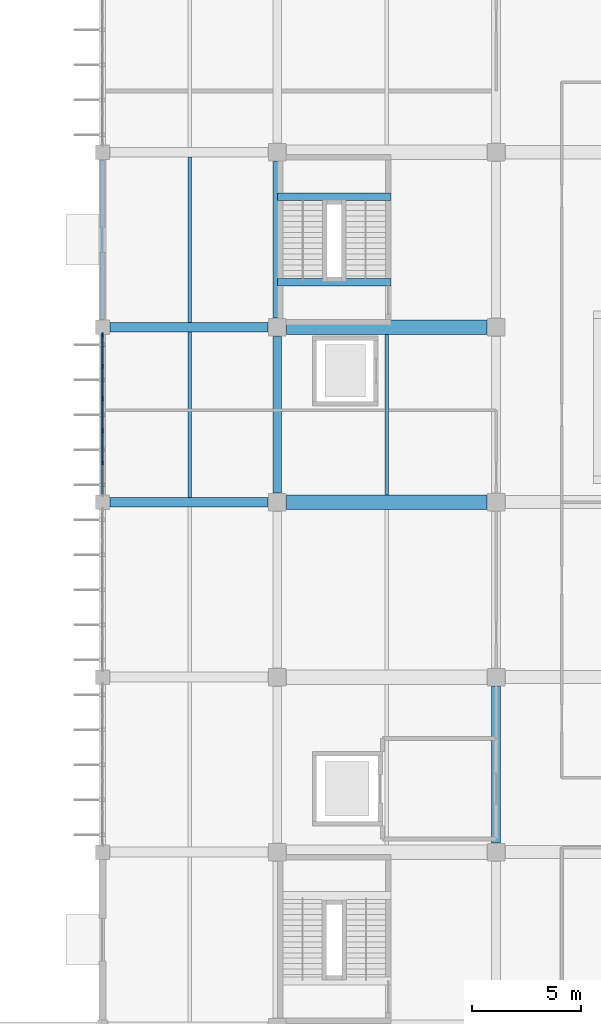
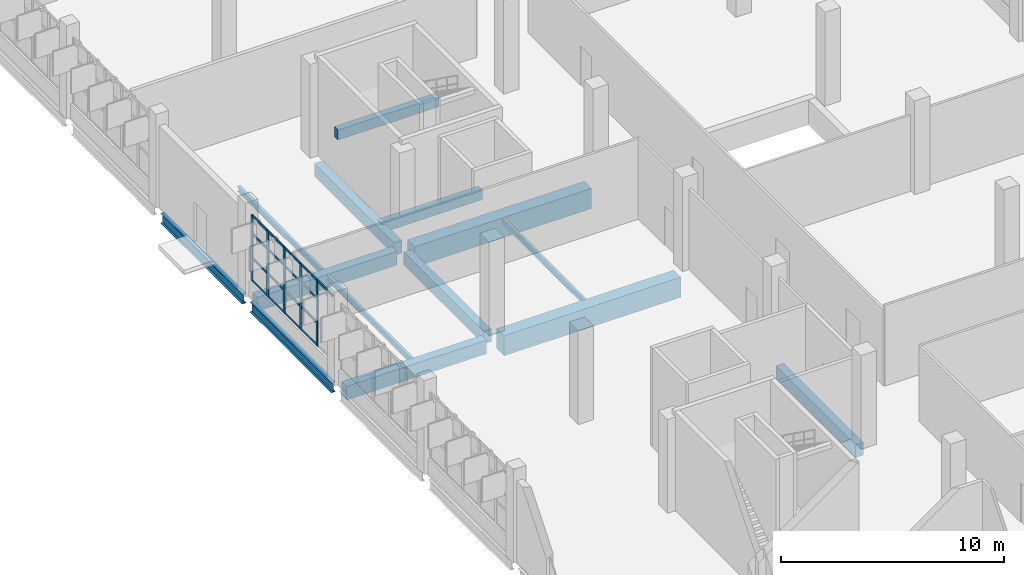
# One storey, part 45 of 103: 22 members, 14 beams, 1 element without a shape of its own.
"""IFC4 building model written with IfcOpenShell, lengths in metres."""

import ifcopenshell
import ifcopenshell.guid

model = None  # the IFC model being written
_history = None  # IfcOwnerHistory: only IFC2X3 demands one
_inside = {}  # id of a spatial element -> (the spatial element, [elements in it])
_under = {}  # id of a project, library or spatial element -> (it, [spatial elements below it])
_declared = {}  # id of a project -> (the project, [libraries it declares])
_typed = {}  # id of a type object -> (the type object, [elements of that type])
_made_of = {}  # id of a material, layer set ... -> (it, [elements and type objects made of it])


def new_model(schema):
    """Start an empty IFC model of exactly this schema.

    Asked for "IFC4X3", IfcOpenShell would pick the latest addendum, in which some entities
    have other attributes; the version numbers below select the first issue.
    IFC2X3 requires an IfcOwnerHistory on every rooted entity: one is made here for all.
    """
    global model, _history
    if schema == "IFC4X3":
        model = ifcopenshell.file(schema_version=(4, 3, 0, 0))
    else:
        model = ifcopenshell.file(schema=schema)
    _inside.clear()
    _under.clear()
    _declared.clear()
    _typed.clear()
    _made_of.clear()
    _history = None
    if model.schema == "IFC2X3":
        org = make("IfcOrganization", Name="unknown")
        user = make(
            "IfcPersonAndOrganization",
            ThePerson=make("IfcPerson", FamilyName="unknown"),
            TheOrganization=org,
        )
        app = make(
            "IfcApplication",
            ApplicationDeveloper=org,
            Version="unknown",
            ApplicationFullName="unknown",
            ApplicationIdentifier="unknown",
        )
        _history = make(
            "IfcOwnerHistory",
            OwningUser=user,
            OwningApplication=app,
            ChangeAction="ADDED",
            CreationDate=0,
        )
    return model


def make(cls, **values):
    """One entity of the class cls with the attributes given. An attribute that is None is left unset."""
    return model.create_entity(
        cls, **{name: value for name, value in values.items() if value is not None}
    )


def rooted(cls, **values):
    """An entity with a GlobalId (a new one), such as an element, a storey or a relation."""
    return make(cls, GlobalId=ifcopenshell.guid.new(), OwnerHistory=_history, **values)


def si_unit(unit_type, name, prefix=None):
    """IfcSIUnit, for example si_unit("LENGTHUNIT", "METRE", prefix="MILLI")."""
    return make("IfcSIUnit", UnitType=unit_type, Prefix=prefix, Name=name)


def assignment(units):
    """IfcUnitAssignment: the units of a project."""
    return None if units is None else make("IfcUnitAssignment", Units=units)


def point(xyz):
    """IfcCartesianPoint."""
    return None if xyz is None else make("IfcCartesianPoint", Coordinates=xyz)


def direction(xyz):
    """IfcDirection."""
    return None if xyz is None else make("IfcDirection", DirectionRatios=xyz)


def frame(location, z_axis=None, x_axis=None):
    """IfcAxis2Placement3D, a coordinate frame: its origin and axes. An axis left out is left unset."""
    return make(
        "IfcAxis2Placement3D",
        Location=point(location),
        Axis=direction(z_axis),
        RefDirection=direction(x_axis),
    )


def frame_2d(location, x_axis=None):
    """IfcAxis2Placement2D, a coordinate frame in the plane: its origin and x axis."""
    return make(
        "IfcAxis2Placement2D", Location=point(location), RefDirection=direction(x_axis)
    )


def origin():
    """The frame at (0, 0, 0) with its axes left unset."""
    return frame((0.0, 0.0, 0.0))


def origin_2d():
    """The frame at (0, 0) in the plane with its x axis left unset."""
    return frame_2d((0.0, 0.0))


def place(relative_to, where):
    """IfcLocalPlacement: puts the frame where relative to a parent placement (None: the world)."""
    return make(
        "IfcLocalPlacement", PlacementRelTo=relative_to, RelativePlacement=where
    )


def context(
    kind, dimensions, precision=None, world=None, true_north=None, identifier=None
):
    """IfcGeometricRepresentationContext, for example the 3D "Model" context."""
    return make(
        "IfcGeometricRepresentationContext",
        ContextIdentifier=identifier,
        ContextType=kind,
        CoordinateSpaceDimension=dimensions,
        Precision=precision,
        WorldCoordinateSystem=world,
        TrueNorth=true_north,
    )


def subcontext(parent, identifier, kind, view, scale=None):
    """IfcGeometricRepresentationSubContext, for example "Body" below "Model"."""
    return make(
        "IfcGeometricRepresentationSubContext",
        ContextIdentifier=identifier,
        ContextType=kind,
        ParentContext=parent,
        TargetScale=scale,
        TargetView=view,
    )


def project(units=None, contexts=None):
    """IfcProject with its units and contexts."""
    return rooted(
        "IfcProject",
        Name="project",
        RepresentationContexts=contexts,
        UnitsInContext=assignment(units),
    )


def spatial(cls, under=None, at=None, **own):
    """A site, building, storey or space (cls), placed at a placement, below another one or the project."""
    s = rooted(cls, ObjectPlacement=at, **own)
    if under is not None:
        _under.setdefault(under.id(), (under, []))[1].append(s)
    return s


def profile(cls, at=None, kind="AREA", **sizes):
    """A parametric profile (cls). Its sizes go by their IFC names, for example OverallWidth=200.0."""
    return make(cls, ProfileType=kind, Position=at, **sizes)


def rectangle(**sizes):
    """IfcRectangleProfileDef."""
    return profile("IfcRectangleProfileDef", **sizes)


def i_section(**sizes):
    """IfcIShapeProfileDef."""
    return profile("IfcIShapeProfileDef", **sizes)


def extrude(swept, where, along, depth):
    """IfcExtrudedAreaSolid: the profile swept, set in the frame where, extruded along a direction by depth."""
    return make(
        "IfcExtrudedAreaSolid",
        SweptArea=swept,
        Position=where,
        ExtrudedDirection=direction(along),
        Depth=depth,
    )


def shape(context_of_items, identifier, shape_type, items):
    """IfcShapeRepresentation: the items that make up one representation, for example the "Body"."""
    return make(
        "IfcShapeRepresentation",
        ContextOfItems=context_of_items,
        RepresentationIdentifier=identifier,
        RepresentationType=shape_type,
        Items=items,
    )


def material(Name=None, Category=None):
    """IfcMaterial."""
    return make("IfcMaterial", Name=Name, Category=Category)


def layer(
    of_material, thickness, ventilated=None, Name=None, Category=None, Priority=None
):
    """IfcMaterialLayer: one layer of a wall or slab, of a material (None: an air gap)."""
    return make(
        "IfcMaterialLayer",
        Material=of_material,
        LayerThickness=thickness,
        IsVentilated=ventilated,
        Name=Name,
        Category=Category,
        Priority=Priority,
    )


def layer_set(layers, Name=None):
    """IfcMaterialLayerSet."""
    return make("IfcMaterialLayerSet", MaterialLayers=layers, LayerSetName=Name)


def material_profile(
    of_material, cross_section, Name=None, Category=None, Priority=None
):
    """IfcMaterialProfile: a cross section and its material."""
    return make(
        "IfcMaterialProfile",
        Name=Name,
        Material=of_material,
        Profile=cross_section,
        Priority=Priority,
        Category=Category,
    )


def profile_set(profiles, Name=None, composite=None):
    """IfcMaterialProfileSet."""
    return make(
        "IfcMaterialProfileSet",
        Name=Name,
        MaterialProfiles=profiles,
        CompositeProfile=composite,
    )


def made_of(thing, what):
    """Note that an element or type object is made of a material, layer set ...; save() writes the relation."""
    if what is not None:
        _made_of.setdefault(what.id(), (what, []))[1].append(thing)
    return thing


def type_object(cls, material=None, **own):
    """A type object (cls), such as IfcWallType, which elements share."""
    return made_of(rooted(cls, **own), material)


def element(
    cls,
    number,
    at=None,
    inside=None,
    cuts=None,
    type_object=None,
    material=None,
    context=None,
    identifier="Body",
    shape_type=None,
    held_by="IfcProductDefinitionShape",
    body=None,
    shapes=None,
    **own,
):
    """One element of the class cls, such as IfcWall. Its Tag is "e" and its number.

    at: its placement. inside: the storey or other place that contains it. cuts: it is an
    opening in that element (IfcRelVoidsElement). A single representation is given by context,
    identifier, shape_type and body (its items); several are given by shapes. held_by: the class
    of the entity that holds the representations. save() writes the other relations.
    """
    e = rooted(cls, Tag="e%d" % number, ObjectPlacement=at, **own)
    if body is not None:
        shapes = [shape(context, identifier, shape_type, body)]
    if shapes is not None:
        e.Representation = make(held_by, Representations=shapes)
    if inside is not None:
        _inside.setdefault(inside.id(), (inside, []))[1].append(e)
    if cuts is not None:
        rooted(
            "IfcRelVoidsElement", RelatingBuildingElement=cuts, RelatedOpeningElement=e
        )
    if type_object is not None:
        _typed.setdefault(type_object.id(), (type_object, []))[1].append(e)
    return made_of(e, material)


def aggregate(whole, parts):
    """IfcRelAggregates: a whole, such as a stair, and the parts it consists of."""
    return rooted("IfcRelAggregates", RelatingObject=whole, RelatedObjects=parts)


def save(model, path):
    """Write the relations noted so far, then the file.

    IfcRelAggregates (storeys below a building ...), IfcRelContainedInSpatialStructure (elements
    in a storey), IfcRelDefinesByType, IfcRelAssociatesMaterial and IfcRelDeclares: one each for
    every whole, place, type object, material and project.
    """
    for whole, parts in _under.values():
        aggregate(whole, parts)
    for where, things in _inside.values():
        rooted(
            "IfcRelContainedInSpatialStructure",
            RelatedElements=things,
            RelatingStructure=where,
        )
    for kind, things in _typed.values():
        rooted("IfcRelDefinesByType", RelatedObjects=things, RelatingType=kind)
    for what, things in _made_of.values():
        rooted("IfcRelAssociatesMaterial", RelatedObjects=things, RelatingMaterial=what)
    for by, libraries in _declared.values():
        rooted("IfcRelDeclares", RelatingContext=by, RelatedDefinitions=libraries)
    model.write(path)


model = new_model("IFC4")

# Units and contexts
model_context = context("Model", 3, precision=1e-05, world=origin(), true_north=direction((0.0, 1.0)))
body_context = subcontext(model_context, "Body", "Model", "MODEL_VIEW")
ifc_project = project(units=[si_unit("LENGTHUNIT", "METRE"), si_unit("AREAUNIT", "SQUARE_METRE"), si_unit("VOLUMEUNIT", "CUBIC_METRE"), si_unit("PLANEANGLEUNIT", "RADIAN"), si_unit("MASSUNIT", "GRAM", prefix="KILO")], contexts=[model_context])

# Site, building, storey
site_placement = place(None, origin())
site = spatial("IfcSite", under=ifc_project, at=site_placement, CompositionType="ELEMENT")
building_placement = place(site_placement, origin())
building = spatial("IfcBuilding", under=site, at=building_placement, Name="Drelvana Railside Aquatics Centre", CompositionType="ELEMENT")
storey_placement = place(building_placement, origin())
storey = spatial("IfcBuildingStorey", under=building, at=storey_placement, Name="L00", CompositionType="ELEMENT", Elevation=0.0)

# Curtain wall, members
ifc_material_1 = material(Name="Bronze-anodised aluminium curtain wall", Category="aluminium")
ifc_layer = layer(ifc_material_1, 0.175048828125, Name="Bronze-anodised aluminium curtain wall")
ifc_layer_set = layer_set([ifc_layer], Name="Bronze-anodised aluminium curtain wall")
curtain_wall_type = type_object("IfcCurtainWallType", Name="CW-Z6-WING", PredefinedType="NOTDEFINED", material=ifc_layer_set)
curtain_wall_placement = place(storey_placement, origin())
curtain_wall = element("IfcCurtainWall", 1, at=curtain_wall_placement, inside=storey, type_object=curtain_wall_type, Name="Curtain wall CW-06-148", PredefinedType="NOTDEFINED")
ifc_material_2 = material(Name="Bronze-anodised aluminium 6063-T6", Category="aluminium")
ifc_material_profile_1 = material_profile(ifc_material_2, rectangle(XDim=0.06494140625, YDim=0.175048828125, at=origin_2d()), Name="ALU-M 65x175")
ifc_profile_set_1 = profile_set([ifc_material_profile_1], Name="Bronze-anodised aluminium 6063-T6")
member_type_1 = type_object("IfcMemberType", Name="CW-Z6-WING-MUL", PredefinedType="MULLION", material=ifc_profile_set_1)
member_1_placement = place(storey_placement, frame((144.0, 49.79150390625, 0.7939453125), z_axis=(0.0, 0.0, 1.0), x_axis=(-1.0, 0.0, 0.0)))
member_1 = element("IfcMember", 2, at=member_1_placement, type_object=member_type_1, Name="CW-06 mullion 2", PredefinedType="MULLION", context=body_context, shape_type="SweptSolid", body=[
    extrude(rectangle(XDim=0.06494140625, YDim=0.175048828125, at=origin_2d()), origin(), (0.0, 0.0, 1.0), 3.60595703125),
])
member_2_placement = place(storey_placement, frame((144.0, 51.263916015625, 0.7939453125), z_axis=(0.0, 0.0, 1.0), x_axis=(-1.0, 0.0, 0.0)))
member_2 = element("IfcMember", 3, at=member_2_placement, type_object=member_type_1, Name="CW-06 mullion 3", PredefinedType="MULLION", context=body_context, shape_type="SweptSolid", body=[
    extrude(rectangle(XDim=0.06494140625, YDim=0.175048828125, at=origin_2d()), origin(), (0.0, 0.0, 1.0), 3.60595703125),
])
member_3_placement = place(storey_placement, frame((144.0, 52.736083984375, 0.7939453125), z_axis=(0.0, 0.0, 1.0), x_axis=(-1.0, 0.0, 0.0)))
member_3 = element("IfcMember", 4, at=member_3_placement, type_object=member_type_1, Name="CW-06 mullion 4", PredefinedType="MULLION", context=body_context, shape_type="SweptSolid", body=[
    extrude(rectangle(XDim=0.06494140625, YDim=0.175048828125, at=origin_2d()), origin(), (0.0, 0.0, 1.0), 3.60595703125),
])
member_4_placement = place(storey_placement, frame((144.0, 54.20849609375, 0.7939453125), z_axis=(0.0, 0.0, 1.0), x_axis=(-1.0, 0.0, 0.0)))
member_4 = element("IfcMember", 5, at=member_4_placement, type_object=member_type_1, Name="CW-06 mullion 5", PredefinedType="MULLION", context=body_context, shape_type="SweptSolid", body=[
    extrude(rectangle(XDim=0.06494140625, YDim=0.175048828125, at=origin_2d()), origin(), (0.0, 0.0, 1.0), 3.60595703125),
])
member_5_placement = place(storey_placement, frame((144.0, 55.6484375, 0.7939453125), z_axis=(0.0, 0.0, 1.0), x_axis=(-1.0, 0.0, 0.0)))
member_5 = element("IfcMember", 6, at=member_5_placement, type_object=member_type_1, Name="CW-06 mullion 6", PredefinedType="MULLION", context=body_context, shape_type="SweptSolid", body=[
    extrude(rectangle(XDim=0.06494140625, YDim=0.175048828125, at=origin_2d()), origin(), (0.0, 0.0, 1.0), 3.60595703125),
])
ifc_material_profile_2 = material_profile(ifc_material_2, rectangle(XDim=0.1201171875, YDim=0.06005859375, at=origin_2d()), Name="ALU-T 60x120")
ifc_profile_set_2 = profile_set([ifc_material_profile_2], Name="Bronze-anodised aluminium 6063-T6")
member_type_2 = type_object("IfcMemberType", Name="CW-Z6-WING-TRN", PredefinedType="USERDEFINED", material=ifc_profile_set_2)
member_6_placement = place(storey_placement, frame((144.0, 48.37890625, 4.3701171875), z_axis=(0.0, 1.0, 0.0), x_axis=(0.0, 0.0, 1.0)))
member_6 = element("IfcMember", 7, at=member_6_placement, type_object=member_type_2, Name="CW-06 transom 1.4", ObjectType="TRANSOM", PredefinedType="USERDEFINED", context=body_context, shape_type="SweptSolid", body=[
    extrude(rectangle(XDim=0.1201171875, YDim=0.06005859375, at=origin_2d()), origin(), (0.0, 0.0, 1.0), 1.385009765625),
])
member_7_placement = place(storey_placement, frame((144.0, 49.81884765625, 0.823974609375), z_axis=(0.0, 1.0, 0.0), x_axis=(0.0, 0.0, 1.0)))
member_7 = element("IfcMember", 8, at=member_7_placement, type_object=member_type_2, Name="CW-06 transom 2.1", ObjectType="TRANSOM", PredefinedType="USERDEFINED", context=body_context, shape_type="SweptSolid", body=[
    extrude(rectangle(XDim=0.1201171875, YDim=0.06005859375, at=origin_2d()), origin(), (0.0, 0.0, 1.0), 1.41748046875),
])
member_8_placement = place(storey_placement, frame((144.0, 49.81884765625, 2.055908203125), z_axis=(0.0, 1.0, 0.0), x_axis=(0.0, 0.0, 1.0)))
member_8 = element("IfcMember", 9, at=member_8_placement, type_object=member_type_2, Name="CW-06 transom 2.2", ObjectType="TRANSOM", PredefinedType="USERDEFINED", context=body_context, shape_type="SweptSolid", body=[
    extrude(rectangle(XDim=0.1201171875, YDim=0.06005859375, at=origin_2d()), origin(), (0.0, 0.0, 1.0), 1.41748046875),
])
member_9_placement = place(storey_placement, frame((144.0, 49.81884765625, 3.389892578125), z_axis=(0.0, 1.0, 0.0), x_axis=(0.0, 0.0, 1.0)))
member_9 = element("IfcMember", 10, at=member_9_placement, type_object=member_type_2, Name="CW-06 transom 2.3", ObjectType="TRANSOM", PredefinedType="USERDEFINED", context=body_context, shape_type="SweptSolid", body=[
    extrude(rectangle(XDim=0.1201171875, YDim=0.06005859375, at=origin_2d()), origin(), (0.0, 0.0, 1.0), 1.41748046875),
])
member_10_placement = place(storey_placement, frame((144.0, 49.81884765625, 4.3701171875), z_axis=(0.0, 1.0, 0.0), x_axis=(0.0, 0.0, 1.0)))
member_10 = element("IfcMember", 11, at=member_10_placement, type_object=member_type_2, Name="CW-06 transom 2.4", ObjectType="TRANSOM", PredefinedType="USERDEFINED", context=body_context, shape_type="SweptSolid", body=[
    extrude(rectangle(XDim=0.1201171875, YDim=0.06005859375, at=origin_2d()), origin(), (0.0, 0.0, 1.0), 1.41748046875),
])
member_11_placement = place(storey_placement, frame((144.0, 51.291259765625, 0.823974609375), z_axis=(0.0, 1.0, 0.0), x_axis=(0.0, 0.0, 1.0)))
member_11 = element("IfcMember", 12, at=member_11_placement, type_object=member_type_2, Name="CW-06 transom 3.1", ObjectType="TRANSOM", PredefinedType="USERDEFINED", context=body_context, shape_type="SweptSolid", body=[
    extrude(rectangle(XDim=0.1201171875, YDim=0.06005859375, at=origin_2d()), origin(), (0.0, 0.0, 1.0), 1.41748046875),
])
member_12_placement = place(storey_placement, frame((144.0, 51.291259765625, 2.055908203125), z_axis=(0.0, 1.0, 0.0), x_axis=(0.0, 0.0, 1.0)))
member_12 = element("IfcMember", 13, at=member_12_placement, type_object=member_type_2, Name="CW-06 transom 3.2", ObjectType="TRANSOM", PredefinedType="USERDEFINED", context=body_context, shape_type="SweptSolid", body=[
    extrude(rectangle(XDim=0.1201171875, YDim=0.06005859375, at=origin_2d()), origin(), (0.0, 0.0, 1.0), 1.41748046875),
])
member_13_placement = place(storey_placement, frame((144.0, 51.291259765625, 3.389892578125), z_axis=(0.0, 1.0, 0.0), x_axis=(0.0, 0.0, 1.0)))
member_13 = element("IfcMember", 14, at=member_13_placement, type_object=member_type_2, Name="CW-06 transom 3.3", ObjectType="TRANSOM", PredefinedType="USERDEFINED", context=body_context, shape_type="SweptSolid", body=[
    extrude(rectangle(XDim=0.1201171875, YDim=0.06005859375, at=origin_2d()), origin(), (0.0, 0.0, 1.0), 1.41748046875),
])
member_14_placement = place(storey_placement, frame((144.0, 51.291259765625, 4.3701171875), z_axis=(0.0, 1.0, 0.0), x_axis=(0.0, 0.0, 1.0)))
member_14 = element("IfcMember", 15, at=member_14_placement, type_object=member_type_2, Name="CW-06 transom 3.4", ObjectType="TRANSOM", PredefinedType="USERDEFINED", context=body_context, shape_type="SweptSolid", body=[
    extrude(rectangle(XDim=0.1201171875, YDim=0.06005859375, at=origin_2d()), origin(), (0.0, 0.0, 1.0), 1.41748046875),
])
member_15_placement = place(storey_placement, frame((144.0, 52.763671875, 0.823974609375), z_axis=(0.0, 1.0, 0.0), x_axis=(0.0, 0.0, 1.0)))
member_15 = element("IfcMember", 16, at=member_15_placement, type_object=member_type_2, Name="CW-06 transom 4.1", ObjectType="TRANSOM", PredefinedType="USERDEFINED", context=body_context, shape_type="SweptSolid", body=[
    extrude(rectangle(XDim=0.1201171875, YDim=0.06005859375, at=origin_2d()), origin(), (0.0, 0.0, 1.0), 1.41748046875),
])
member_16_placement = place(storey_placement, frame((144.0, 52.763671875, 2.055908203125), z_axis=(0.0, 1.0, 0.0), x_axis=(0.0, 0.0, 1.0)))
member_16 = element("IfcMember", 17, at=member_16_placement, type_object=member_type_2, Name="CW-06 transom 4.2", ObjectType="TRANSOM", PredefinedType="USERDEFINED", context=body_context, shape_type="SweptSolid", body=[
    extrude(rectangle(XDim=0.1201171875, YDim=0.06005859375, at=origin_2d()), origin(), (0.0, 0.0, 1.0), 1.41748046875),
])
member_17_placement = place(storey_placement, frame((144.0, 52.763671875, 3.389892578125), z_axis=(0.0, 1.0, 0.0), x_axis=(0.0, 0.0, 1.0)))
member_17 = element("IfcMember", 18, at=member_17_placement, type_object=member_type_2, Name="CW-06 transom 4.3", ObjectType="TRANSOM", PredefinedType="USERDEFINED", context=body_context, shape_type="SweptSolid", body=[
    extrude(rectangle(XDim=0.1201171875, YDim=0.06005859375, at=origin_2d()), origin(), (0.0, 0.0, 1.0), 1.41748046875),
])
member_18_placement = place(storey_placement, frame((144.0, 52.763671875, 4.3701171875), z_axis=(0.0, 1.0, 0.0), x_axis=(0.0, 0.0, 1.0)))
member_18 = element("IfcMember", 19, at=member_18_placement, type_object=member_type_2, Name="CW-06 transom 4.4", ObjectType="TRANSOM", PredefinedType="USERDEFINED", context=body_context, shape_type="SweptSolid", body=[
    extrude(rectangle(XDim=0.1201171875, YDim=0.06005859375, at=origin_2d()), origin(), (0.0, 0.0, 1.0), 1.41748046875),
])
member_19_placement = place(storey_placement, frame((144.0, 54.236083984375, 0.823974609375), z_axis=(0.0, 1.0, 0.0), x_axis=(0.0, 0.0, 1.0)))
member_19 = element("IfcMember", 20, at=member_19_placement, type_object=member_type_2, Name="CW-06 transom 5.1", ObjectType="TRANSOM", PredefinedType="USERDEFINED", context=body_context, shape_type="SweptSolid", body=[
    extrude(rectangle(XDim=0.1201171875, YDim=0.06005859375, at=origin_2d()), origin(), (0.0, 0.0, 1.0), 1.385009765625),
])
member_20_placement = place(storey_placement, frame((144.0, 54.236083984375, 2.055908203125), z_axis=(0.0, 1.0, 0.0), x_axis=(0.0, 0.0, 1.0)))
member_20 = element("IfcMember", 21, at=member_20_placement, type_object=member_type_2, Name="CW-06 transom 5.2", ObjectType="TRANSOM", PredefinedType="USERDEFINED", context=body_context, shape_type="SweptSolid", body=[
    extrude(rectangle(XDim=0.1201171875, YDim=0.06005859375, at=origin_2d()), origin(), (0.0, 0.0, 1.0), 1.385009765625),
])
member_21_placement = place(storey_placement, frame((144.0, 54.236083984375, 3.389892578125), z_axis=(0.0, 1.0, 0.0), x_axis=(0.0, 0.0, 1.0)))
member_21 = element("IfcMember", 22, at=member_21_placement, type_object=member_type_2, Name="CW-06 transom 5.3", ObjectType="TRANSOM", PredefinedType="USERDEFINED", context=body_context, shape_type="SweptSolid", body=[
    extrude(rectangle(XDim=0.1201171875, YDim=0.06005859375, at=origin_2d()), origin(), (0.0, 0.0, 1.0), 1.385009765625),
])
member_22_placement = place(storey_placement, frame((144.0, 54.236083984375, 4.3701171875), z_axis=(0.0, 1.0, 0.0), x_axis=(0.0, 0.0, 1.0)))
member_22 = element("IfcMember", 23, at=member_22_placement, type_object=member_type_2, Name="CW-06 transom 5.4", ObjectType="TRANSOM", PredefinedType="USERDEFINED", context=body_context, shape_type="SweptSolid", body=[
    extrude(rectangle(XDim=0.1201171875, YDim=0.06005859375, at=origin_2d()), origin(), (0.0, 0.0, 1.0), 1.385009765625),
])
aggregate(curtain_wall, [member_1, member_2, member_3, member_4, member_5, member_6, member_7, member_8, member_9, member_10, member_11, member_12, member_13, member_14, member_15, member_16, member_17, member_18, member_19, member_20, member_21, member_22])

# Beams
ifc_material_3 = material(Name="Concrete C40/50", Category="concrete")
ifc_material_profile_3 = material_profile(ifc_material_3, rectangle(XDim=0.35009765625, YDim=0.550048828125, at=origin_2d()), Name="RC 350x550")
ifc_profile_set_3 = profile_set([ifc_material_profile_3], Name="Concrete C40/50")
beam_type_1 = type_object("IfcBeamType", Name="STR-BM-BM-01-RC-350x550", PredefinedType="BEAM", material=ifc_profile_set_3)
for number, where, z_axis, x_axis, name in (
    (24, (152.0, 58.050048828125, -0.47509765625), (1.0, 0.0, 0.0), (0.0, 1.0, 0.0), "Stair ST-08 L00 landing beam"),
    (25, (152.0, 61.9599609375, 2.22509765625), (1.0, 0.0, 0.0), (0.0, 1.0, 0.0), "Stair ST-08 L00 mid-landing beam"),
):
    element("IfcBeam", number, at=place(storey_placement, frame(where, z_axis=z_axis, x_axis=x_axis)), inside=storey, type_object=beam_type_1, Name=name, PredefinedType="BEAM", context=body_context, shape_type="SweptSolid", body=[
        extrude(rectangle(XDim=0.35009765625, YDim=0.550048828125, at=origin_2d()), origin(), (0.0, 0.0, 1.0), 5.199951171875),
    ])
ifc_material_profile_4 = material_profile(ifc_material_3, rectangle(XDim=0.39990234375, YDim=0.699951171875, at=origin_2d()), Name="RC 400x700")
ifc_profile_set_4 = profile_set([ifc_material_profile_4], Name="Concrete C40/50")
beam_type_2 = type_object("IfcBeamType", Name="STR-BM-BM-03-RC-400x700", PredefinedType="BEAM", material=ifc_profile_set_4)
for number, where, z_axis, x_axis, name in (
    (26, (152.0, 48.425048828125, -0.679931640625), (0.0, 1.0, 0.0), (-1.0, 0.0, 0.0), "Girder BM-03 (L00)"),
    (27, (152.0, 56.425048828125, -0.679931640625), (0.0, 1.0, 0.0), (-1.0, 0.0, 0.0), "Girder BM-03 (L00)"),
    (28, (162.0, 32.425048828125, -0.679931640625), (0.0, 1.0, 0.0), (-1.0, 0.0, 0.0), "Girder BM-03 (L00)"),
):
    element("IfcBeam", number, at=place(storey_placement, frame(where, z_axis=z_axis, x_axis=x_axis)), inside=storey, type_object=beam_type_2, Name=name, PredefinedType="BEAM", context=body_context, shape_type="SweptSolid", body=[
        extrude(rectangle(XDim=0.39990234375, YDim=0.699951171875, at=origin_2d()), origin(), (0.0, 0.0, 1.0), 7.14990234375),
    ])
ifc_material_profile_5 = material_profile(ifc_material_3, rectangle(XDim=0.449951171875, YDim=0.75, at=origin_2d()), Name="RC 450x750")
ifc_profile_set_5 = profile_set([ifc_material_profile_5], Name="Concrete C40/50")
beam_type_3 = type_object("IfcBeamType", Name="STR-BM-BM-04-RC-450x750", PredefinedType="BEAM", material=ifc_profile_set_5)
for number, where, z_axis, x_axis, name in (
    (29, (144.35009765625, 48.0, -0.705078125), (1.0, 0.0, 0.0), (0.0, 1.0, 0.0), "Girder BM-04 (L00)"),
    (30, (144.35009765625, 56.0, -0.705078125), (1.0, 0.0, 0.0), (0.0, 1.0, 0.0), "Girder BM-04 (L00)"),
):
    element("IfcBeam", number, at=place(storey_placement, frame(where, z_axis=z_axis, x_axis=x_axis)), inside=storey, type_object=beam_type_3, Name=name, PredefinedType="BEAM", context=body_context, shape_type="SweptSolid", body=[
        extrude(rectangle(XDim=0.449951171875, YDim=0.75, at=origin_2d()), origin(), (0.0, 0.0, 1.0), 7.224853515625),
    ])
ifc_material_profile_6 = material_profile(ifc_material_3, rectangle(XDim=0.64990234375, YDim=1.10009765625, at=origin_2d()), Name="RC 650x1100")
ifc_profile_set_6 = profile_set([ifc_material_profile_6], Name="Concrete C40/50")
beam_type_4 = type_object("IfcBeamType", Name="STR-BM-BM-10-RC-650x1100", PredefinedType="BEAM", material=ifc_profile_set_6)
for number, where, z_axis, x_axis, name in (
    (31, (152.425048828125, 48.0, -0.8798828125), (1.0, 0.0, 0.0), (0.0, 1.0, 0.0), "Girder BM-10 (L00)"),
    (32, (152.425048828125, 56.0, -0.8798828125), (1.0, 0.0, 0.0), (0.0, 1.0, 0.0), "Girder BM-10 (L00)"),
):
    element("IfcBeam", number, at=place(storey_placement, frame(where, z_axis=z_axis, x_axis=x_axis)), inside=storey, type_object=beam_type_4, Name=name, PredefinedType="BEAM", context=body_context, shape_type="SweptSolid", body=[
        extrude(rectangle(XDim=0.64990234375, YDim=1.10009765625, at=origin_2d()), origin(), (0.0, 0.0, 1.0), 9.14990234375),
    ])
ifc_material_4 = material(Name="Structural steel S355", Category="steel")
ifc_material_profile_7 = material_profile(ifc_material_4, i_section(OverallWidth=0.2099609375, OverallDepth=0.550048828125, WebThickness=0.010986328125, FlangeThickness=0.01708984375, at=origin_2d()), Name="IPE 550")
ifc_profile_set_7 = profile_set([ifc_material_profile_7], Name="Structural steel S355")
beam_type_5 = type_object("IfcBeamType", Name="STR-SBM-SB-04-IPE-550", PredefinedType="SPANDREL", material=ifc_profile_set_7)
for number, where, z_axis, x_axis, name in (
    (33, (144.0, 48.35009765625, -0.60498046875), (0.0, 1.0, 0.0), (-1.0, 0.0, 0.0), "Girder SB-04 (L00)"),
    (34, (144.0, 56.35009765625, -0.60498046875), (0.0, 1.0, 0.0), (-1.0, 0.0, 0.0), "Girder SB-04 (L00)"),
):
    element("IfcBeam", number, at=place(storey_placement, frame(where, z_axis=z_axis, x_axis=x_axis)), inside=storey, type_object=beam_type_5, Name=name, PredefinedType="SPANDREL", context=body_context, shape_type="SweptSolid", body=[
        extrude(i_section(OverallWidth=0.2099609375, OverallDepth=0.550048828125, WebThickness=0.010986328125, FlangeThickness=0.01708984375, at=origin_2d()), origin(), (0.0, 0.0, 1.0), 7.2998046875),
    ])
ifc_material_profile_8 = material_profile(ifc_material_4, i_section(OverallWidth=0.14990234375, OverallDepth=0.300048828125, WebThickness=0.007080078125, FlangeThickness=0.0107421875, at=origin_2d()), Name="IPE 300")
ifc_profile_set_8 = profile_set([ifc_material_profile_8], Name="Structural steel S355")
beam_type_6 = type_object("IfcBeamType", Name="STR-SBM-SJ-03-IPE-300", PredefinedType="JOIST", material=ifc_profile_set_8)
for number, where, z_axis, x_axis, name in (
    (35, (148.0, 48.22509765625, -0.47998046875), (0.0, 1.0, 0.0), (-1.0, 0.0, 0.0), "Secondary floor joist SJ-03 (L00)"),
    (36, (148.0, 56.22509765625, -0.47998046875), (0.0, 1.0, 0.0), (-1.0, 0.0, 0.0), "Secondary floor joist SJ-03 (L00)"),
):
    element("IfcBeam", number, at=place(storey_placement, frame(where, z_axis=z_axis, x_axis=x_axis)), inside=storey, type_object=beam_type_6, Name=name, PredefinedType="JOIST", context=body_context, shape_type="SweptSolid", body=[
        extrude(i_section(OverallWidth=0.14990234375, OverallDepth=0.300048828125, WebThickness=0.007080078125, FlangeThickness=0.0107421875, at=origin_2d()), origin(), (0.0, 0.0, 1.0), 7.5498046875),
    ])
beam_placement = place(storey_placement, frame((157.0, 48.324951171875, -0.47998046875), z_axis=(0.0, 1.0, 0.0), x_axis=(-1.0, 0.0, 0.0)))
element("IfcBeam", 37, at=beam_placement, inside=storey, type_object=beam_type_6, Name="Secondary floor joist SJ-03 (L00)", PredefinedType="JOIST", context=body_context, shape_type="SweptSolid", body=[
    extrude(i_section(OverallWidth=0.14990234375, OverallDepth=0.300048828125, WebThickness=0.007080078125, FlangeThickness=0.0107421875, at=origin_2d()), origin(), (0.0, 0.0, 1.0), 7.35009765625),
])

save(model, "model.ifc")
